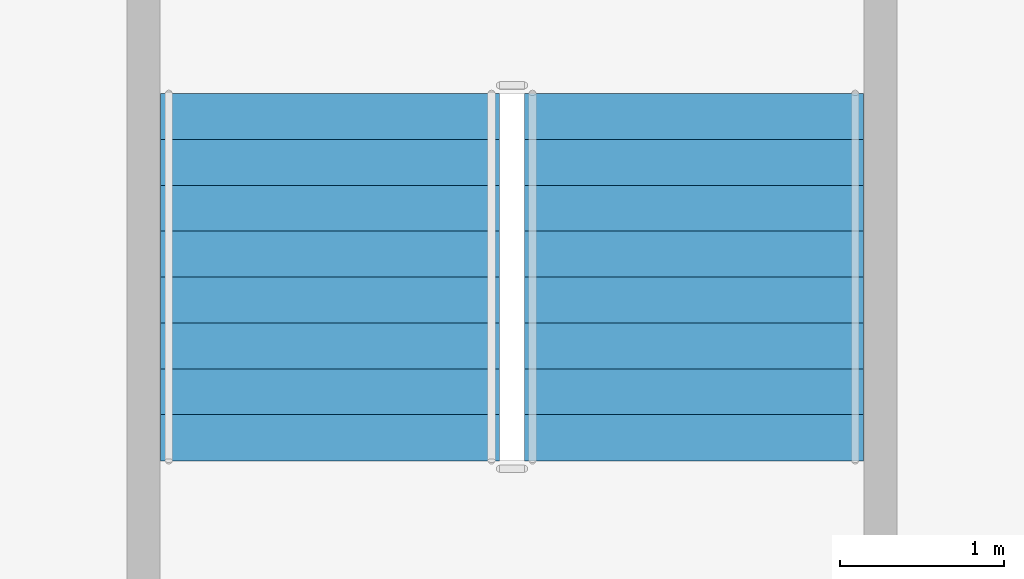
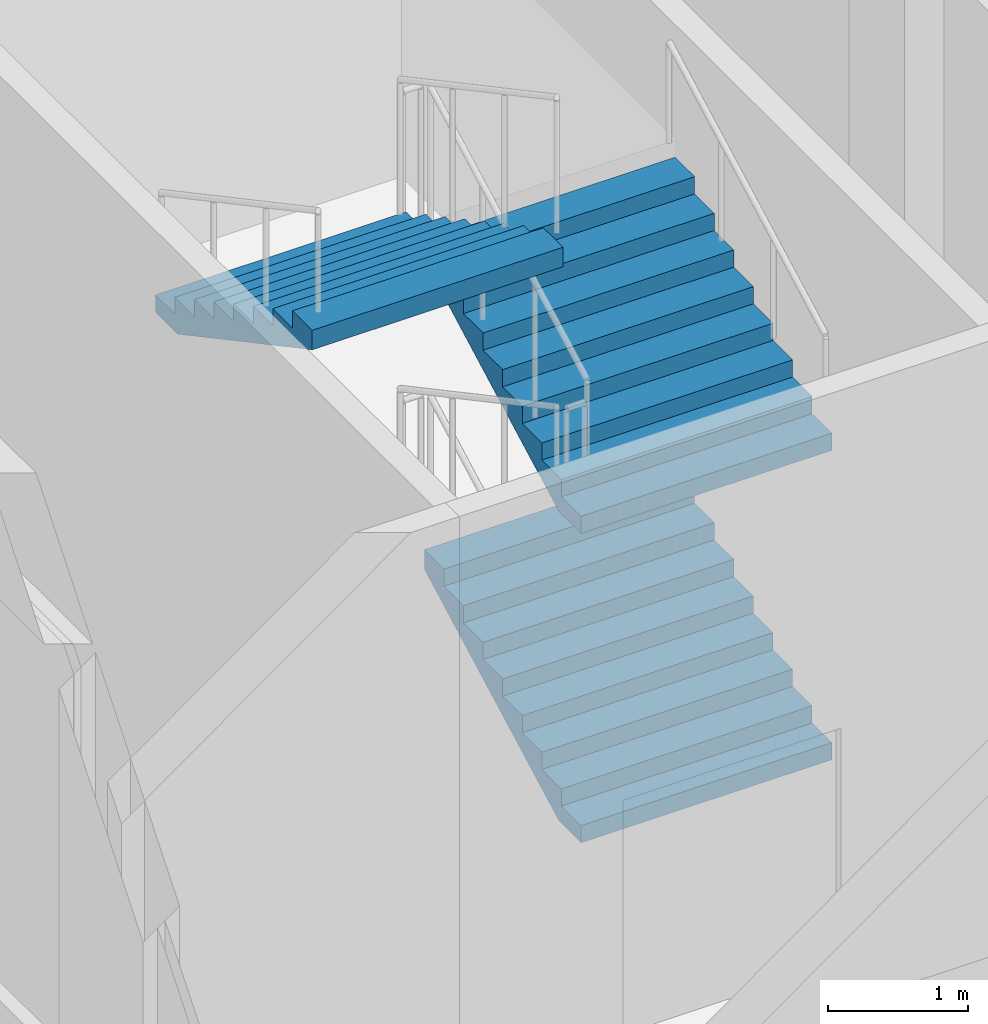
# One storey, part 15 of 26: 3 stair flights, 1 element without a shape of its own.
"""IFC4 building model written with IfcOpenShell, lengths in metres."""

from ifc_helpers import new_model, si_unit, direction, frame, origin, place, context, subcontext, project, spatial, polygons, material, type_object, element, aggregate, save


model = new_model("IFC4")

# Units and contexts
model_context = context("Model", 3, precision=1e-05, world=origin(), true_north=direction((0.0, 1.0)))
body_context = subcontext(model_context, "Body", "Model", "MODEL_VIEW")
ifc_project = project(units=[si_unit("LENGTHUNIT", "METRE"), si_unit("AREAUNIT", "SQUARE_METRE"), si_unit("VOLUMEUNIT", "CUBIC_METRE"), si_unit("PLANEANGLEUNIT", "RADIAN"), si_unit("MASSUNIT", "GRAM", prefix="KILO")], contexts=[model_context])

# Site, building, storey
site_placement = place(None, origin())
site = spatial("IfcSite", under=ifc_project, at=site_placement, CompositionType="ELEMENT")
building_placement = place(site_placement, origin())
building = spatial("IfcBuilding", under=site, at=building_placement, Name="Caravel Reach Hotel and Residences", CompositionType="ELEMENT")
storey_placement = place(building_placement, frame((0.0, 0.0, 12.0)))
storey = spatial("IfcBuildingStorey", under=building, at=storey_placement, Name="L02", CompositionType="ELEMENT", Elevation=12.0)

# Stair, stair flights
ifc_material_1 = material(Name="Concrete C40", Category="concrete")
stair_type = type_object("IfcStairType", Name="Core stair", PredefinedType="HALF_TURN_STAIR", material=ifc_material_1)
stair_placement = place(storey_placement, origin())
stair = element("IfcStair", 1, at=stair_placement, inside=storey, type_object=stair_type, Name="L02 Exit stair P5", PredefinedType="HALF_TURN_STAIR")
ifc_material_2 = material(Name="Concrete C40", Category="concrete")
stair_flight_type = type_object("IfcStairFlightType", Name="Core stair flight", PredefinedType="STRAIGHT", material=ifc_material_2)
stair_flight_1_placement = place(storey_placement, frame((1.360107421875, 42.68994140625, 0.0), z_axis=(0.0, 0.0, 1.0), x_axis=(0.0, 1.0, 0.0)))
stair_flight_1 = element("IfcStairFlight", 2, at=stair_flight_1_placement, type_object=stair_flight_type, Name="ST-P5 flight 1", NumberOfRisers=9, NumberOfTreads=8, PredefinedType="STRAIGHT", RiserHeight=0.15, TreadLength=0.28, context=body_context, shape_type="Tessellation", body=[
    polygons([(0.3174408016601864, 1.0350341796875, 0.0), (0.3174408016601864, 0.6900227864583333, 0.0), (0.3174408016601864, 0.34501139322916663, 0.0), (0.3174408016601864, 0.0, 0.0), (0.3174408016601864, -0.34501139322916674, 0.0), (0.3174408016601864, -0.6900227864583333, 0.0), (0.3174408016601864, -1.0350341796875, 0.0), (2.241, 1.0350341796875, 1.029942427682043), (2.241, 0.6900227864583333, 1.029942427682043), (2.241, 0.34501139322916663, 1.029942427682043), (2.241, 0.0, 1.029942427682043), (2.241, -0.34501139322916674, 1.029942427682043), (2.241, -0.6900227864583333, 1.029942427682043), (2.241, -1.0350341796875, 1.029942427682043), (2.241, 1.0350341796875, 1.2), (2.241, 0.6900227864583333, 1.2), (2.241, 0.34501139322916663, 1.2), (2.241, 0.0, 1.2), (2.241, -0.34501139322916674, 1.2), (2.241, -0.6900227864583333, 1.2), (2.241, -1.0350341796875, 1.2), (1.9600000000000002, 1.0350341796875, 1.2), (1.9600000000000002, 0.6900227864583333, 1.2), (1.9600000000000002, 0.34501139322916663, 1.2), (1.9600000000000002, 0.0, 1.2), (1.9600000000000002, -0.34501139322916674, 1.2), (1.9600000000000002, -0.6900227864583333, 1.2), (1.9600000000000002, -1.0350341796875, 1.2), (1.9600000000000002, 1.0350341796875, 1.05), (1.9600000000000002, 0.6900227864583333, 1.05), (1.9600000000000002, 0.34501139322916663, 1.05), (1.9600000000000002, 0.0, 1.05), (1.9600000000000002, -0.34501139322916674, 1.05), (1.9600000000000002, -0.6900227864583333, 1.05), (1.9600000000000002, -1.0350341796875, 1.05), (1.6800000000000002, 1.0350341796875, 1.05), (1.6800000000000002, 0.6900227864583333, 1.05), (1.6800000000000002, 0.34501139322916663, 1.05), (1.6800000000000002, 0.0, 1.05), (1.6800000000000002, -0.34501139322916674, 1.05), (1.6800000000000002, -0.6900227864583333, 1.05), (1.6800000000000002, -1.0350341796875, 1.05), (1.6800000000000002, 1.0350341796875, 0.8999999999999999), (1.6800000000000002, 0.6900227864583333, 0.8999999999999999), (1.6800000000000002, 0.34501139322916663, 0.8999999999999999), (1.6800000000000002, 0.0, 0.8999999999999999), (1.6800000000000002, -0.34501139322916674, 0.8999999999999999), (1.6800000000000002, -0.6900227864583333, 0.8999999999999999), (1.6800000000000002, -1.0350341796875, 0.8999999999999999), (1.4000000000000001, 1.0350341796875, 0.8999999999999999), (1.4000000000000001, 0.6900227864583333, 0.8999999999999999), (1.4000000000000001, 0.34501139322916663, 0.8999999999999999), (1.4000000000000001, 0.0, 0.8999999999999999), (1.4000000000000001, -0.34501139322916674, 0.8999999999999999), (1.4000000000000001, -0.6900227864583333, 0.8999999999999999), (1.4000000000000001, -1.0350341796875, 0.8999999999999999), (1.4000000000000001, 1.0350341796875, 0.75), (1.4000000000000001, 0.6900227864583333, 0.75), (1.4000000000000001, 0.34501139322916663, 0.75), (1.4000000000000001, 0.0, 0.75), (1.4000000000000001, -0.34501139322916674, 0.75), (1.4000000000000001, -0.6900227864583333, 0.75), (1.4000000000000001, -1.0350341796875, 0.75), (1.12, 1.0350341796875, 0.75), (1.12, 0.6900227864583333, 0.75), (1.12, 0.34501139322916663, 0.75), (1.12, 0.0, 0.75), (1.12, -0.34501139322916674, 0.75), (1.12, -0.6900227864583333, 0.75), (1.12, -1.0350341796875, 0.75), (1.12, 1.0350341796875, 0.6), (1.12, 0.6900227864583333, 0.6), (1.12, 0.34501139322916663, 0.6), (1.12, 0.0, 0.6), (1.12, -0.34501139322916674, 0.6), (1.12, -0.6900227864583333, 0.6), (1.12, -1.0350341796875, 0.6), (0.8400000000000001, 1.0350341796875, 0.6), (0.8400000000000001, 0.6900227864583333, 0.6), (0.8400000000000001, 0.34501139322916663, 0.6), (0.8400000000000001, 0.0, 0.6), (0.8400000000000001, -0.34501139322916674, 0.6), (0.8400000000000001, -0.6900227864583333, 0.6), (0.8400000000000001, -1.0350341796875, 0.6), (0.8400000000000001, 1.0350341796875, 0.44999999999999996), (0.8400000000000001, 0.6900227864583333, 0.44999999999999996), (0.8400000000000001, 0.34501139322916663, 0.44999999999999996), (0.8400000000000001, 0.0, 0.44999999999999996), (0.8400000000000001, -0.34501139322916674, 0.44999999999999996), (0.8400000000000001, -0.6900227864583333, 0.44999999999999996), (0.8400000000000001, -1.0350341796875, 0.44999999999999996), (0.56, 1.0350341796875, 0.44999999999999996), (0.56, 0.6900227864583333, 0.44999999999999996), (0.56, 0.34501139322916663, 0.44999999999999996), (0.56, 0.0, 0.44999999999999996), (0.56, -0.34501139322916674, 0.44999999999999996), (0.56, -0.6900227864583333, 0.44999999999999996), (0.56, -1.0350341796875, 0.44999999999999996), (0.56, 1.0350341796875, 0.3), (0.56, 0.6900227864583333, 0.3), (0.56, 0.34501139322916663, 0.3), (0.56, 0.0, 0.3), (0.56, -0.34501139322916674, 0.3), (0.56, -0.6900227864583333, 0.3), (0.56, -1.0350341796875, 0.3), (0.28, 1.0350341796875, 0.3), (0.28, 0.6900227864583333, 0.3), (0.28, 0.34501139322916663, 0.3), (0.28, 0.0, 0.3), (0.28, -0.34501139322916674, 0.3), (0.28, -0.6900227864583333, 0.3), (0.28, -1.0350341796875, 0.3), (0.28, 1.0350341796875, 0.15), (0.28, 0.6900227864583333, 0.15), (0.28, 0.34501139322916663, 0.15), (0.28, 0.0, 0.15), (0.28, -0.34501139322916674, 0.15), (0.28, -0.6900227864583333, 0.15), (0.28, -1.0350341796875, 0.15), (-0.001, 1.0350341796875, 0.15), (-0.001, 0.6900227864583333, 0.15), (-0.001, 0.34501139322916663, 0.15), (-0.001, 0.0, 0.15), (-0.001, -0.34501139322916674, 0.15), (-0.001, -0.6900227864583333, 0.15), (-0.001, -1.0350341796875, 0.15), (-0.001, 1.0350341796875, 0.0), (-0.001, 0.6900227864583333, 0.0), (-0.001, 0.34501139322916663, 0.0), (-0.001, 0.0, 0.0), (-0.001, -0.34501139322916674, 0.0), (-0.001, -0.6900227864583333, 0.0), (-0.001, -1.0350341796875, 0.0)], [[[127, 120, 113, 106, 99, 92, 85, 78, 71, 64, 57, 50, 43, 36, 29, 22, 15, 8, 1]], [[7, 14, 21, 28, 35, 42, 49, 56, 63, 70, 77, 84, 91, 98, 105, 112, 119, 126, 133]], [[1, 8, 9, 2]], [[2, 9, 10, 3]], [[3, 10, 11, 4]], [[4, 11, 12, 5]], [[5, 12, 13, 6]], [[6, 13, 14, 7]], [[8, 15, 16, 9]], [[9, 16, 17, 10]], [[10, 17, 18, 11]], [[11, 18, 19, 12]], [[12, 19, 20, 13]], [[13, 20, 21, 14]], [[15, 22, 23, 16]], [[16, 23, 24, 17]], [[17, 24, 25, 18]], [[18, 25, 26, 19]], [[19, 26, 27, 20]], [[20, 27, 28, 21]], [[22, 29, 30, 23]], [[23, 30, 31, 24]], [[24, 31, 32, 25]], [[25, 32, 33, 26]], [[26, 33, 34, 27]], [[27, 34, 35, 28]], [[29, 36, 37, 30]], [[30, 37, 38, 31]], [[31, 38, 39, 32]], [[32, 39, 40, 33]], [[33, 40, 41, 34]], [[34, 41, 42, 35]], [[36, 43, 44, 37]], [[37, 44, 45, 38]], [[38, 45, 46, 39]], [[39, 46, 47, 40]], [[40, 47, 48, 41]], [[41, 48, 49, 42]], [[43, 50, 51, 44]], [[44, 51, 52, 45]], [[45, 52, 53, 46]], [[46, 53, 54, 47]], [[47, 54, 55, 48]], [[48, 55, 56, 49]], [[50, 57, 58, 51]], [[51, 58, 59, 52]], [[52, 59, 60, 53]], [[53, 60, 61, 54]], [[54, 61, 62, 55]], [[55, 62, 63, 56]], [[57, 64, 65, 58]], [[58, 65, 66, 59]], [[59, 66, 67, 60]], [[60, 67, 68, 61]], [[61, 68, 69, 62]], [[62, 69, 70, 63]], [[64, 71, 72, 65]], [[65, 72, 73, 66]], [[66, 73, 74, 67]], [[67, 74, 75, 68]], [[68, 75, 76, 69]], [[69, 76, 77, 70]], [[71, 78, 79, 72]], [[72, 79, 80, 73]], [[73, 80, 81, 74]], [[74, 81, 82, 75]], [[75, 82, 83, 76]], [[76, 83, 84, 77]], [[78, 85, 86, 79]], [[79, 86, 87, 80]], [[80, 87, 88, 81]], [[81, 88, 89, 82]], [[82, 89, 90, 83]], [[83, 90, 91, 84]], [[85, 92, 93, 86]], [[86, 93, 94, 87]], [[87, 94, 95, 88]], [[88, 95, 96, 89]], [[89, 96, 97, 90]], [[90, 97, 98, 91]], [[92, 99, 100, 93]], [[93, 100, 101, 94]], [[94, 101, 102, 95]], [[95, 102, 103, 96]], [[96, 103, 104, 97]], [[97, 104, 105, 98]], [[99, 106, 107, 100]], [[100, 107, 108, 101]], [[101, 108, 109, 102]], [[102, 109, 110, 103]], [[103, 110, 111, 104]], [[104, 111, 112, 105]], [[106, 113, 114, 107]], [[107, 114, 115, 108]], [[108, 115, 116, 109]], [[109, 116, 117, 110]], [[110, 117, 118, 111]], [[111, 118, 119, 112]], [[113, 120, 121, 114]], [[114, 121, 122, 115]], [[115, 122, 123, 116]], [[116, 123, 124, 117]], [[117, 124, 125, 118]], [[118, 125, 126, 119]], [[120, 127, 128, 121]], [[121, 128, 129, 122]], [[122, 129, 130, 123]], [[123, 130, 131, 124]], [[124, 131, 132, 125]], [[125, 132, 133, 126]], [[127, 1, 2, 128]], [[128, 2, 3, 129]], [[129, 3, 4, 130]], [[130, 4, 5, 131]], [[131, 5, 6, 132]], [[132, 6, 7, 133]]], closed=True),
])
stair_flight_2_placement = place(storey_placement, frame((1.360107421875, 42.68994140625, 2.699951171875), z_axis=(0.0, 0.0, 1.0), x_axis=(0.0, 1.0, 0.0)))
stair_flight_2 = element("IfcStairFlight", 3, at=stair_flight_2_placement, type_object=stair_flight_type, Name="ST-P5 flight 3", NumberOfRisers=9, NumberOfTreads=8, PredefinedType="STRAIGHT", RiserHeight=0.15, TreadLength=0.28, context=body_context, shape_type="Tessellation", body=[
    polygons([(0.3174408016601864, 1.0350341796875, 0.0), (0.3174408016601864, 0.6900227864583333, 0.0), (0.3174408016601864, 0.34501139322916663, 0.0), (0.3174408016601864, 0.0, 0.0), (0.3174408016601864, -0.34501139322916674, 0.0), (0.3174408016601864, -0.6900227864583333, 0.0), (0.3174408016601864, -1.0350341796875, 0.0), (2.241, 1.0350341796875, 1.029942427682043), (2.241, 0.6900227864583333, 1.029942427682043), (2.241, 0.34501139322916663, 1.029942427682043), (2.241, 0.0, 1.029942427682043), (2.241, -0.34501139322916674, 1.029942427682043), (2.241, -0.6900227864583333, 1.029942427682043), (2.241, -1.0350341796875, 1.029942427682043), (2.241, 1.0350341796875, 1.2), (2.241, 0.6900227864583333, 1.2), (2.241, 0.34501139322916663, 1.2), (2.241, 0.0, 1.2), (2.241, -0.34501139322916674, 1.2), (2.241, -0.6900227864583333, 1.2), (2.241, -1.0350341796875, 1.2), (1.9600000000000002, 1.0350341796875, 1.2), (1.9600000000000002, 0.6900227864583333, 1.2), (1.9600000000000002, 0.34501139322916663, 1.2), (1.9600000000000002, 0.0, 1.2), (1.9600000000000002, -0.34501139322916674, 1.2), (1.9600000000000002, -0.6900227864583333, 1.2), (1.9600000000000002, -1.0350341796875, 1.2), (1.9600000000000002, 1.0350341796875, 1.05), (1.9600000000000002, 0.6900227864583333, 1.05), (1.9600000000000002, 0.34501139322916663, 1.05), (1.9600000000000002, 0.0, 1.05), (1.9600000000000002, -0.34501139322916674, 1.05), (1.9600000000000002, -0.6900227864583333, 1.05), (1.9600000000000002, -1.0350341796875, 1.05), (1.6800000000000002, 1.0350341796875, 1.05), (1.6800000000000002, 0.6900227864583333, 1.05), (1.6800000000000002, 0.34501139322916663, 1.05), (1.6800000000000002, 0.0, 1.05), (1.6800000000000002, -0.34501139322916674, 1.05), (1.6800000000000002, -0.6900227864583333, 1.05), (1.6800000000000002, -1.0350341796875, 1.05), (1.6800000000000002, 1.0350341796875, 0.8999999999999999), (1.6800000000000002, 0.6900227864583333, 0.8999999999999999), (1.6800000000000002, 0.34501139322916663, 0.8999999999999999), (1.6800000000000002, 0.0, 0.8999999999999999), (1.6800000000000002, -0.34501139322916674, 0.8999999999999999), (1.6800000000000002, -0.6900227864583333, 0.8999999999999999), (1.6800000000000002, -1.0350341796875, 0.8999999999999999), (1.4000000000000001, 1.0350341796875, 0.8999999999999999), (1.4000000000000001, 0.6900227864583333, 0.8999999999999999), (1.4000000000000001, 0.34501139322916663, 0.8999999999999999), (1.4000000000000001, 0.0, 0.8999999999999999), (1.4000000000000001, -0.34501139322916674, 0.8999999999999999), (1.4000000000000001, -0.6900227864583333, 0.8999999999999999), (1.4000000000000001, -1.0350341796875, 0.8999999999999999), (1.4000000000000001, 1.0350341796875, 0.75), (1.4000000000000001, 0.6900227864583333, 0.75), (1.4000000000000001, 0.34501139322916663, 0.75), (1.4000000000000001, 0.0, 0.75), (1.4000000000000001, -0.34501139322916674, 0.75), (1.4000000000000001, -0.6900227864583333, 0.75), (1.4000000000000001, -1.0350341796875, 0.75), (1.12, 1.0350341796875, 0.75), (1.12, 0.6900227864583333, 0.75), (1.12, 0.34501139322916663, 0.75), (1.12, 0.0, 0.75), (1.12, -0.34501139322916674, 0.75), (1.12, -0.6900227864583333, 0.75), (1.12, -1.0350341796875, 0.75), (1.12, 1.0350341796875, 0.6), (1.12, 0.6900227864583333, 0.6), (1.12, 0.34501139322916663, 0.6), (1.12, 0.0, 0.6), (1.12, -0.34501139322916674, 0.6), (1.12, -0.6900227864583333, 0.6), (1.12, -1.0350341796875, 0.6), (0.8400000000000001, 1.0350341796875, 0.6), (0.8400000000000001, 0.6900227864583333, 0.6), (0.8400000000000001, 0.34501139322916663, 0.6), (0.8400000000000001, 0.0, 0.6), (0.8400000000000001, -0.34501139322916674, 0.6), (0.8400000000000001, -0.6900227864583333, 0.6), (0.8400000000000001, -1.0350341796875, 0.6), (0.8400000000000001, 1.0350341796875, 0.44999999999999996), (0.8400000000000001, 0.6900227864583333, 0.44999999999999996), (0.8400000000000001, 0.34501139322916663, 0.44999999999999996), (0.8400000000000001, 0.0, 0.44999999999999996), (0.8400000000000001, -0.34501139322916674, 0.44999999999999996), (0.8400000000000001, -0.6900227864583333, 0.44999999999999996), (0.8400000000000001, -1.0350341796875, 0.44999999999999996), (0.56, 1.0350341796875, 0.44999999999999996), (0.56, 0.6900227864583333, 0.44999999999999996), (0.56, 0.34501139322916663, 0.44999999999999996), (0.56, 0.0, 0.44999999999999996), (0.56, -0.34501139322916674, 0.44999999999999996), (0.56, -0.6900227864583333, 0.44999999999999996), (0.56, -1.0350341796875, 0.44999999999999996), (0.56, 1.0350341796875, 0.3), (0.56, 0.6900227864583333, 0.3), (0.56, 0.34501139322916663, 0.3), (0.56, 0.0, 0.3), (0.56, -0.34501139322916674, 0.3), (0.56, -0.6900227864583333, 0.3), (0.56, -1.0350341796875, 0.3), (0.28, 1.0350341796875, 0.3), (0.28, 0.6900227864583333, 0.3), (0.28, 0.34501139322916663, 0.3), (0.28, 0.0, 0.3), (0.28, -0.34501139322916674, 0.3), (0.28, -0.6900227864583333, 0.3), (0.28, -1.0350341796875, 0.3), (0.28, 1.0350341796875, 0.15), (0.28, 0.6900227864583333, 0.15), (0.28, 0.34501139322916663, 0.15), (0.28, 0.0, 0.15), (0.28, -0.34501139322916674, 0.15), (0.28, -0.6900227864583333, 0.15), (0.28, -1.0350341796875, 0.15), (-0.001, 1.0350341796875, 0.15), (-0.001, 0.6900227864583333, 0.15), (-0.001, 0.34501139322916663, 0.15), (-0.001, 0.0, 0.15), (-0.001, -0.34501139322916674, 0.15), (-0.001, -0.6900227864583333, 0.15), (-0.001, -1.0350341796875, 0.15), (-0.001, 1.0350341796875, 0.0), (-0.001, 0.6900227864583333, 0.0), (-0.001, 0.34501139322916663, 0.0), (-0.001, 0.0, 0.0), (-0.001, -0.34501139322916674, 0.0), (-0.001, -0.6900227864583333, 0.0), (-0.001, -1.0350341796875, 0.0)], [[[127, 120, 113, 106, 99, 92, 85, 78, 71, 64, 57, 50, 43, 36, 29, 22, 15, 8, 1]], [[7, 14, 21, 28, 35, 42, 49, 56, 63, 70, 77, 84, 91, 98, 105, 112, 119, 126, 133]], [[1, 8, 9, 2]], [[2, 9, 10, 3]], [[3, 10, 11, 4]], [[4, 11, 12, 5]], [[5, 12, 13, 6]], [[6, 13, 14, 7]], [[8, 15, 16, 9]], [[9, 16, 17, 10]], [[10, 17, 18, 11]], [[11, 18, 19, 12]], [[12, 19, 20, 13]], [[13, 20, 21, 14]], [[15, 22, 23, 16]], [[16, 23, 24, 17]], [[17, 24, 25, 18]], [[18, 25, 26, 19]], [[19, 26, 27, 20]], [[20, 27, 28, 21]], [[22, 29, 30, 23]], [[23, 30, 31, 24]], [[24, 31, 32, 25]], [[25, 32, 33, 26]], [[26, 33, 34, 27]], [[27, 34, 35, 28]], [[29, 36, 37, 30]], [[30, 37, 38, 31]], [[31, 38, 39, 32]], [[32, 39, 40, 33]], [[33, 40, 41, 34]], [[34, 41, 42, 35]], [[36, 43, 44, 37]], [[37, 44, 45, 38]], [[38, 45, 46, 39]], [[39, 46, 47, 40]], [[40, 47, 48, 41]], [[41, 48, 49, 42]], [[43, 50, 51, 44]], [[44, 51, 52, 45]], [[45, 52, 53, 46]], [[46, 53, 54, 47]], [[47, 54, 55, 48]], [[48, 55, 56, 49]], [[50, 57, 58, 51]], [[51, 58, 59, 52]], [[52, 59, 60, 53]], [[53, 60, 61, 54]], [[54, 61, 62, 55]], [[55, 62, 63, 56]], [[57, 64, 65, 58]], [[58, 65, 66, 59]], [[59, 66, 67, 60]], [[60, 67, 68, 61]], [[61, 68, 69, 62]], [[62, 69, 70, 63]], [[64, 71, 72, 65]], [[65, 72, 73, 66]], [[66, 73, 74, 67]], [[67, 74, 75, 68]], [[68, 75, 76, 69]], [[69, 76, 77, 70]], [[71, 78, 79, 72]], [[72, 79, 80, 73]], [[73, 80, 81, 74]], [[74, 81, 82, 75]], [[75, 82, 83, 76]], [[76, 83, 84, 77]], [[78, 85, 86, 79]], [[79, 86, 87, 80]], [[80, 87, 88, 81]], [[81, 88, 89, 82]], [[82, 89, 90, 83]], [[83, 90, 91, 84]], [[85, 92, 93, 86]], [[86, 93, 94, 87]], [[87, 94, 95, 88]], [[88, 95, 96, 89]], [[89, 96, 97, 90]], [[90, 97, 98, 91]], [[92, 99, 100, 93]], [[93, 100, 101, 94]], [[94, 101, 102, 95]], [[95, 102, 103, 96]], [[96, 103, 104, 97]], [[97, 104, 105, 98]], [[99, 106, 107, 100]], [[100, 107, 108, 101]], [[101, 108, 109, 102]], [[102, 109, 110, 103]], [[103, 110, 111, 104]], [[104, 111, 112, 105]], [[106, 113, 114, 107]], [[107, 114, 115, 108]], [[108, 115, 116, 109]], [[109, 116, 117, 110]], [[110, 117, 118, 111]], [[111, 118, 119, 112]], [[113, 120, 121, 114]], [[114, 121, 122, 115]], [[115, 122, 123, 116]], [[116, 123, 124, 117]], [[117, 124, 125, 118]], [[118, 125, 126, 119]], [[120, 127, 128, 121]], [[121, 128, 129, 122]], [[122, 129, 130, 123]], [[123, 130, 131, 124]], [[124, 131, 132, 125]], [[125, 132, 133, 126]], [[127, 1, 2, 128]], [[128, 2, 3, 129]], [[129, 3, 4, 130]], [[130, 4, 5, 131]], [[131, 5, 6, 132]], [[132, 6, 7, 133]]], closed=True),
])
stair_flight_3_placement = place(storey_placement, frame((-0.860107421875, 44.929931640625, 4.050048828125), z_axis=(0.0, 0.0, 1.0), x_axis=(0.0, -1.0, 0.0)))
stair_flight_3 = element("IfcStairFlight", 4, at=stair_flight_3_placement, type_object=stair_flight_type, Name="ST-P5 flight 4", NumberOfRisers=9, NumberOfTreads=8, PredefinedType="STRAIGHT", RiserHeight=0.15, TreadLength=0.28, context=body_context, shape_type="Tessellation", body=[
    polygons([(0.3174408016601864, 1.0350341796875, 0.0), (0.3174408016601864, 0.6900227864583333, 0.0), (0.3174408016601864, 0.34501139322916663, 0.0), (0.3174408016601864, 0.0, 0.0), (0.3174408016601864, -0.34501139322916674, 0.0), (0.3174408016601864, -0.6900227864583333, 0.0), (0.3174408016601864, -1.0350341796875, 0.0), (2.241, 1.0350341796875, 1.029942427682043), (2.241, 0.6900227864583333, 1.029942427682043), (2.241, 0.34501139322916663, 1.029942427682043), (2.241, 0.0, 1.029942427682043), (2.241, -0.34501139322916674, 1.029942427682043), (2.241, -0.6900227864583333, 1.029942427682043), (2.241, -1.0350341796875, 1.029942427682043), (2.241, 1.0350341796875, 1.2), (2.241, 0.6900227864583333, 1.2), (2.241, 0.34501139322916663, 1.2), (2.241, 0.0, 1.2), (2.241, -0.34501139322916674, 1.2), (2.241, -0.6900227864583333, 1.2), (2.241, -1.0350341796875, 1.2), (1.9600000000000002, 1.0350341796875, 1.2), (1.9600000000000002, 0.6900227864583333, 1.2), (1.9600000000000002, 0.34501139322916663, 1.2), (1.9600000000000002, 0.0, 1.2), (1.9600000000000002, -0.34501139322916674, 1.2), (1.9600000000000002, -0.6900227864583333, 1.2), (1.9600000000000002, -1.0350341796875, 1.2), (1.9600000000000002, 1.0350341796875, 1.05), (1.9600000000000002, 0.6900227864583333, 1.05), (1.9600000000000002, 0.34501139322916663, 1.05), (1.9600000000000002, 0.0, 1.05), (1.9600000000000002, -0.34501139322916674, 1.05), (1.9600000000000002, -0.6900227864583333, 1.05), (1.9600000000000002, -1.0350341796875, 1.05), (1.6800000000000002, 1.0350341796875, 1.05), (1.6800000000000002, 0.6900227864583333, 1.05), (1.6800000000000002, 0.34501139322916663, 1.05), (1.6800000000000002, 0.0, 1.05), (1.6800000000000002, -0.34501139322916674, 1.05), (1.6800000000000002, -0.6900227864583333, 1.05), (1.6800000000000002, -1.0350341796875, 1.05), (1.6800000000000002, 1.0350341796875, 0.8999999999999999), (1.6800000000000002, 0.6900227864583333, 0.8999999999999999), (1.6800000000000002, 0.34501139322916663, 0.8999999999999999), (1.6800000000000002, 0.0, 0.8999999999999999), (1.6800000000000002, -0.34501139322916674, 0.8999999999999999), (1.6800000000000002, -0.6900227864583333, 0.8999999999999999), (1.6800000000000002, -1.0350341796875, 0.8999999999999999), (1.4000000000000001, 1.0350341796875, 0.8999999999999999), (1.4000000000000001, 0.6900227864583333, 0.8999999999999999), (1.4000000000000001, 0.34501139322916663, 0.8999999999999999), (1.4000000000000001, 0.0, 0.8999999999999999), (1.4000000000000001, -0.34501139322916674, 0.8999999999999999), (1.4000000000000001, -0.6900227864583333, 0.8999999999999999), (1.4000000000000001, -1.0350341796875, 0.8999999999999999), (1.4000000000000001, 1.0350341796875, 0.75), (1.4000000000000001, 0.6900227864583333, 0.75), (1.4000000000000001, 0.34501139322916663, 0.75), (1.4000000000000001, 0.0, 0.75), (1.4000000000000001, -0.34501139322916674, 0.75), (1.4000000000000001, -0.6900227864583333, 0.75), (1.4000000000000001, -1.0350341796875, 0.75), (1.12, 1.0350341796875, 0.75), (1.12, 0.6900227864583333, 0.75), (1.12, 0.34501139322916663, 0.75), (1.12, 0.0, 0.75), (1.12, -0.34501139322916674, 0.75), (1.12, -0.6900227864583333, 0.75), (1.12, -1.0350341796875, 0.75), (1.12, 1.0350341796875, 0.6), (1.12, 0.6900227864583333, 0.6), (1.12, 0.34501139322916663, 0.6), (1.12, 0.0, 0.6), (1.12, -0.34501139322916674, 0.6), (1.12, -0.6900227864583333, 0.6), (1.12, -1.0350341796875, 0.6), (0.8400000000000001, 1.0350341796875, 0.6), (0.8400000000000001, 0.6900227864583333, 0.6), (0.8400000000000001, 0.34501139322916663, 0.6), (0.8400000000000001, 0.0, 0.6), (0.8400000000000001, -0.34501139322916674, 0.6), (0.8400000000000001, -0.6900227864583333, 0.6), (0.8400000000000001, -1.0350341796875, 0.6), (0.8400000000000001, 1.0350341796875, 0.44999999999999996), (0.8400000000000001, 0.6900227864583333, 0.44999999999999996), (0.8400000000000001, 0.34501139322916663, 0.44999999999999996), (0.8400000000000001, 0.0, 0.44999999999999996), (0.8400000000000001, -0.34501139322916674, 0.44999999999999996), (0.8400000000000001, -0.6900227864583333, 0.44999999999999996), (0.8400000000000001, -1.0350341796875, 0.44999999999999996), (0.56, 1.0350341796875, 0.44999999999999996), (0.56, 0.6900227864583333, 0.44999999999999996), (0.56, 0.34501139322916663, 0.44999999999999996), (0.56, 0.0, 0.44999999999999996), (0.56, -0.34501139322916674, 0.44999999999999996), (0.56, -0.6900227864583333, 0.44999999999999996), (0.56, -1.0350341796875, 0.44999999999999996), (0.56, 1.0350341796875, 0.3), (0.56, 0.6900227864583333, 0.3), (0.56, 0.34501139322916663, 0.3), (0.56, 0.0, 0.3), (0.56, -0.34501139322916674, 0.3), (0.56, -0.6900227864583333, 0.3), (0.56, -1.0350341796875, 0.3), (0.28, 1.0350341796875, 0.3), (0.28, 0.6900227864583333, 0.3), (0.28, 0.34501139322916663, 0.3), (0.28, 0.0, 0.3), (0.28, -0.34501139322916674, 0.3), (0.28, -0.6900227864583333, 0.3), (0.28, -1.0350341796875, 0.3), (0.28, 1.0350341796875, 0.15), (0.28, 0.6900227864583333, 0.15), (0.28, 0.34501139322916663, 0.15), (0.28, 0.0, 0.15), (0.28, -0.34501139322916674, 0.15), (0.28, -0.6900227864583333, 0.15), (0.28, -1.0350341796875, 0.15), (-0.001, 1.0350341796875, 0.15), (-0.001, 0.6900227864583333, 0.15), (-0.001, 0.34501139322916663, 0.15), (-0.001, 0.0, 0.15), (-0.001, -0.34501139322916674, 0.15), (-0.001, -0.6900227864583333, 0.15), (-0.001, -1.0350341796875, 0.15), (-0.001, 1.0350341796875, 0.0), (-0.001, 0.6900227864583333, 0.0), (-0.001, 0.34501139322916663, 0.0), (-0.001, 0.0, 0.0), (-0.001, -0.34501139322916674, 0.0), (-0.001, -0.6900227864583333, 0.0), (-0.001, -1.0350341796875, 0.0)], [[[127, 120, 113, 106, 99, 92, 85, 78, 71, 64, 57, 50, 43, 36, 29, 22, 15, 8, 1]], [[7, 14, 21, 28, 35, 42, 49, 56, 63, 70, 77, 84, 91, 98, 105, 112, 119, 126, 133]], [[1, 8, 9, 2]], [[2, 9, 10, 3]], [[3, 10, 11, 4]], [[4, 11, 12, 5]], [[5, 12, 13, 6]], [[6, 13, 14, 7]], [[8, 15, 16, 9]], [[9, 16, 17, 10]], [[10, 17, 18, 11]], [[11, 18, 19, 12]], [[12, 19, 20, 13]], [[13, 20, 21, 14]], [[15, 22, 23, 16]], [[16, 23, 24, 17]], [[17, 24, 25, 18]], [[18, 25, 26, 19]], [[19, 26, 27, 20]], [[20, 27, 28, 21]], [[22, 29, 30, 23]], [[23, 30, 31, 24]], [[24, 31, 32, 25]], [[25, 32, 33, 26]], [[26, 33, 34, 27]], [[27, 34, 35, 28]], [[29, 36, 37, 30]], [[30, 37, 38, 31]], [[31, 38, 39, 32]], [[32, 39, 40, 33]], [[33, 40, 41, 34]], [[34, 41, 42, 35]], [[36, 43, 44, 37]], [[37, 44, 45, 38]], [[38, 45, 46, 39]], [[39, 46, 47, 40]], [[40, 47, 48, 41]], [[41, 48, 49, 42]], [[43, 50, 51, 44]], [[44, 51, 52, 45]], [[45, 52, 53, 46]], [[46, 53, 54, 47]], [[47, 54, 55, 48]], [[48, 55, 56, 49]], [[50, 57, 58, 51]], [[51, 58, 59, 52]], [[52, 59, 60, 53]], [[53, 60, 61, 54]], [[54, 61, 62, 55]], [[55, 62, 63, 56]], [[57, 64, 65, 58]], [[58, 65, 66, 59]], [[59, 66, 67, 60]], [[60, 67, 68, 61]], [[61, 68, 69, 62]], [[62, 69, 70, 63]], [[64, 71, 72, 65]], [[65, 72, 73, 66]], [[66, 73, 74, 67]], [[67, 74, 75, 68]], [[68, 75, 76, 69]], [[69, 76, 77, 70]], [[71, 78, 79, 72]], [[72, 79, 80, 73]], [[73, 80, 81, 74]], [[74, 81, 82, 75]], [[75, 82, 83, 76]], [[76, 83, 84, 77]], [[78, 85, 86, 79]], [[79, 86, 87, 80]], [[80, 87, 88, 81]], [[81, 88, 89, 82]], [[82, 89, 90, 83]], [[83, 90, 91, 84]], [[85, 92, 93, 86]], [[86, 93, 94, 87]], [[87, 94, 95, 88]], [[88, 95, 96, 89]], [[89, 96, 97, 90]], [[90, 97, 98, 91]], [[92, 99, 100, 93]], [[93, 100, 101, 94]], [[94, 101, 102, 95]], [[95, 102, 103, 96]], [[96, 103, 104, 97]], [[97, 104, 105, 98]], [[99, 106, 107, 100]], [[100, 107, 108, 101]], [[101, 108, 109, 102]], [[102, 109, 110, 103]], [[103, 110, 111, 104]], [[104, 111, 112, 105]], [[106, 113, 114, 107]], [[107, 114, 115, 108]], [[108, 115, 116, 109]], [[109, 116, 117, 110]], [[110, 117, 118, 111]], [[111, 118, 119, 112]], [[113, 120, 121, 114]], [[114, 121, 122, 115]], [[115, 122, 123, 116]], [[116, 123, 124, 117]], [[117, 124, 125, 118]], [[118, 125, 126, 119]], [[120, 127, 128, 121]], [[121, 128, 129, 122]], [[122, 129, 130, 123]], [[123, 130, 131, 124]], [[124, 131, 132, 125]], [[125, 132, 133, 126]], [[127, 1, 2, 128]], [[128, 2, 3, 129]], [[129, 3, 4, 130]], [[130, 4, 5, 131]], [[131, 5, 6, 132]], [[132, 6, 7, 133]]], closed=True),
])
aggregate(stair, [stair_flight_1, stair_flight_2, stair_flight_3])

save(model, "model.ifc")
